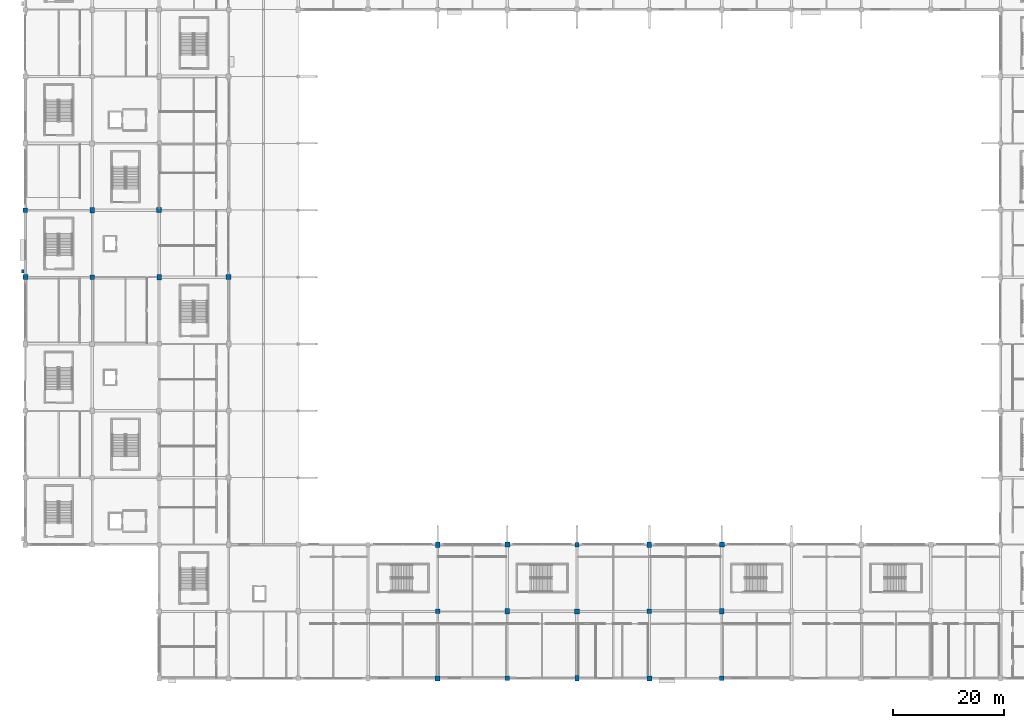
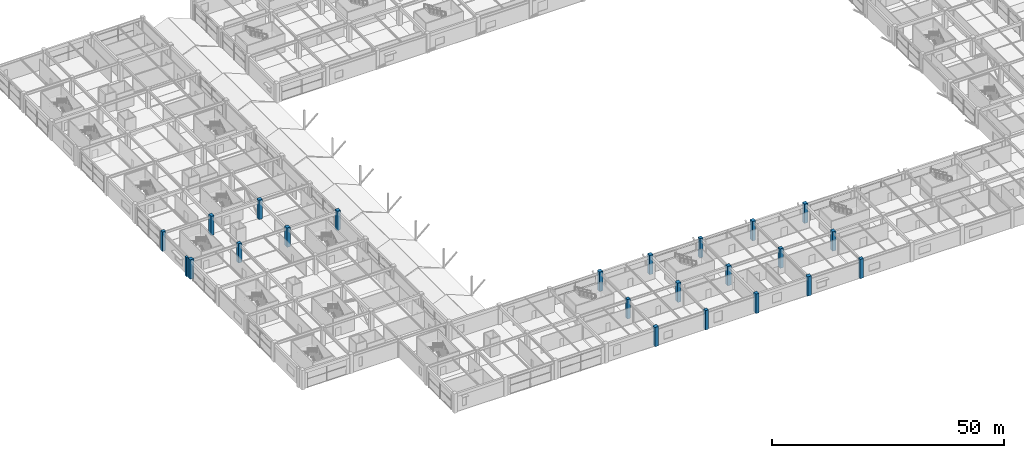
# One storey, part 3 of 116: 23 columns.
"""IFC4 building model written with IfcOpenShell, lengths in metres."""

from ifc_helpers import new_model, si_unit, direction, frame, origin, origin_2d, place, context, subcontext, project, spatial, rectangle, extrude, material, material_profile, profile_set, type_object, element, save


model = new_model("IFC4")

# Units and contexts
model_context = context("Model", 3, precision=1e-05, world=origin(), true_north=direction((0.0, 1.0)))
body_context = subcontext(model_context, "Body", "Model", "MODEL_VIEW")
ifc_project = project(units=[si_unit("LENGTHUNIT", "METRE"), si_unit("AREAUNIT", "SQUARE_METRE"), si_unit("VOLUMEUNIT", "CUBIC_METRE"), si_unit("PLANEANGLEUNIT", "RADIAN"), si_unit("MASSUNIT", "GRAM", prefix="KILO")], contexts=[model_context])

# Site, building, storey
site_placement = place(None, origin())
site = spatial("IfcSite", under=ifc_project, at=site_placement, CompositionType="ELEMENT")
building_placement = place(site_placement, origin())
building = spatial("IfcBuilding", under=site, at=building_placement, Name="Kazenohara Klinker Stadium", CompositionType="ELEMENT")
storey_placement = place(building_placement, frame((0.0, 0.0, 10.199951171875)))
storey = spatial("IfcBuildingStorey", under=building, at=storey_placement, Name="L02", CompositionType="ELEMENT", Elevation=10.199951171875)

# Columns
ifc_material = material(Name="Concrete C40/50", Category="concrete")
ifc_material_profile_1 = material_profile(ifc_material, rectangle(XDim=0.800048828125, YDim=1.0, at=origin_2d()), Name="RC-COL-1000x800")
ifc_profile_set_1 = profile_set([ifc_material_profile_1], Name="Concrete C40/50")
column_type_1 = type_object("IfcColumnType", Name="COL-RC03", PredefinedType="COLUMN", material=ifc_profile_set_1)
for number, where, z_axis, x_axis, name in (
    (1, (12.0, 96.0, 0.0), (0.0, 0.0, 1.0), (1.0, 0.0, 0.0), "Column C03 L02 2/J"),
    (2, (24.0, 84.0, 0.0), (0.0, 0.0, 1.0), (1.0, 0.0, 0.0), "Column C03 L02 3/H"),
    (3, (74.0, 36.0, 0.0), (0.0, 0.0, 1.0), (1.0, 0.0, 0.0), "Column C03 L02 7/D"),
    (4, (86.5, 24.0, 0.0), (0.0, 0.0, 1.0), (1.0, 0.0, 0.0), "Column C03 L02 8/C"),
    (5, (99.0, 12.0, 0.0), (0.0, 0.0, 1.0), (1.0, 0.0, 0.0), "Column C03 L02 9/B"),
    (6, (112.0, 36.0, 0.0), (0.0, 0.0, 1.0), (1.0, 0.0, 0.0), "Column C03 L02 10/D"),
    (7, (125.0, 24.0, 0.0), (0.0, 0.0, 1.0), (1.0, 0.0, 0.0), "Column C03 L02 11/C"),
):
    element("IfcColumn", number, at=place(storey_placement, frame(where, z_axis=z_axis, x_axis=x_axis)), inside=storey, type_object=column_type_1, Name=name, PredefinedType="COLUMN", context=body_context, shape_type="SweptSolid", body=[
        extrude(rectangle(XDim=0.800048828125, YDim=1.0, at=origin_2d()), origin(), (0.0, 0.0, 1.0), 5.10009765625),
    ])
ifc_material_profile_2 = material_profile(ifc_material, rectangle(XDim=0.89990234375, YDim=0.89990234375, at=origin_2d()), Name="RC-COL-900x900")
ifc_profile_set_2 = profile_set([ifc_material_profile_2], Name="Concrete C40/50")
column_type_2 = type_object("IfcColumnType", Name="COL-RC04", PredefinedType="COLUMN", material=ifc_profile_set_2)
for number, where, z_axis, x_axis, name in (
    (8, (0.0, 84.0, 0.0), (0.0, 0.0, 1.0), (1.0, 0.0, 0.0), "Column C04 L02 1/H"),
    (9, (24.0, 96.0, 0.0), (0.0, 0.0, 1.0), (1.0, 0.0, 0.0), "Column C04 L02 3/J"),
    (10, (36.5, 84.0, 0.0), (0.0, 0.0, 1.0), (1.0, 0.0, 0.0), "Column C04 L02 4/H"),
    (11, (74.0, 12.0, 0.0), (0.0, 0.0, 1.0), (1.0, 0.0, 0.0), "Column C04 L02 7/B"),
    (12, (86.5, 36.0, 0.0), (0.0, 0.0, 1.0), (1.0, 0.0, 0.0), "Column C04 L02 8/D"),
    (13, (99.0, 24.0, 0.0), (0.0, 0.0, 1.0), (1.0, 0.0, 0.0), "Column C04 L02 9/C"),
    (14, (112.0, 12.0, 0.0), (0.0, 0.0, 1.0), (1.0, 0.0, 0.0), "Column C04 L02 10/B"),
    (15, (125.0, 36.0, 0.0), (0.0, 0.0, 1.0), (1.0, 0.0, 0.0), "Column C04 L02 11/D"),
):
    element("IfcColumn", number, at=place(storey_placement, frame(where, z_axis=z_axis, x_axis=x_axis)), inside=storey, type_object=column_type_2, Name=name, PredefinedType="COLUMN", context=body_context, shape_type="SweptSolid", body=[
        extrude(rectangle(XDim=0.89990234375, YDim=0.89990234375, at=origin_2d()), origin(), (0.0, 0.0, 1.0), 5.10009765625),
    ])
ifc_material_profile_3 = material_profile(ifc_material, rectangle(XDim=0.800048828125, YDim=0.800048828125, at=origin_2d()), Name="RC-COL-800x800")
ifc_profile_set_3 = profile_set([ifc_material_profile_3], Name="Concrete C40/50")
column_type_3 = type_object("IfcColumnType", Name="COL-RC05", PredefinedType="COLUMN", material=ifc_profile_set_3)
for number, where, z_axis, x_axis, name in (
    (16, (0.0, 96.0, 0.0), (0.0, 0.0, 1.0), (1.0, 0.0, 0.0), "Column C05 L02 1/J"),
    (17, (12.0, 84.0, 0.0), (0.0, 0.0, 1.0), (1.0, 0.0, 0.0), "Column C05 L02 2/H"),
    (18, (74.0, 24.0, 0.0), (0.0, 0.0, 1.0), (1.0, 0.0, 0.0), "Column C05 L02 7/C"),
    (19, (86.5, 12.0, 0.0), (0.0, 0.0, 1.0), (1.0, 0.0, 0.0), "Column C05 L02 8/B"),
    (20, (99.0, 36.0, 0.0), (0.0, 0.0, 1.0), (1.0, 0.0, 0.0), "Column C05 L02 9/D"),
    (21, (112.0, 24.0, 0.0), (0.0, 0.0, 1.0), (1.0, 0.0, 0.0), "Column C05 L02 10/C"),
    (22, (125.0, 12.0, 0.0), (0.0, 0.0, 1.0), (1.0, 0.0, 0.0), "Column C05 L02 11/B"),
):
    element("IfcColumn", number, at=place(storey_placement, frame(where, z_axis=z_axis, x_axis=x_axis)), inside=storey, type_object=column_type_3, Name=name, PredefinedType="COLUMN", context=body_context, shape_type="SweptSolid", body=[
        extrude(rectangle(XDim=0.800048828125, YDim=0.800048828125, at=origin_2d()), origin(), (0.0, 0.0, 1.0), 5.10009765625),
    ])
ifc_material_profile_4 = material_profile(ifc_material, rectangle(XDim=0.449951171875, YDim=0.64990234375, at=origin_2d()), Name="RC-PILASTER-450x650")
ifc_profile_set_4 = profile_set([ifc_material_profile_4], Name="Concrete C40/50")
column_type_4 = type_object("IfcColumnType", Name="PIL-RC01", PredefinedType="PILASTER", material=ifc_profile_set_4)
column_placement = place(storey_placement, frame((-0.449951171875, 85.050048828125, 0.0), z_axis=(0.0, 0.0, 1.0), x_axis=(1.0, 0.0, 0.0)))
element("IfcColumn", 23, at=column_placement, inside=storey, type_object=column_type_4, Name="Pleated facade pilaster PL01 L02 West-07", PredefinedType="PILASTER", context=body_context, shape_type="SweptSolid", body=[
    extrude(rectangle(XDim=0.449951171875, YDim=0.64990234375, at=origin_2d()), origin(), (0.0, 0.0, 1.0), 5.10009765625),
])

save(model, "model.ifc")
